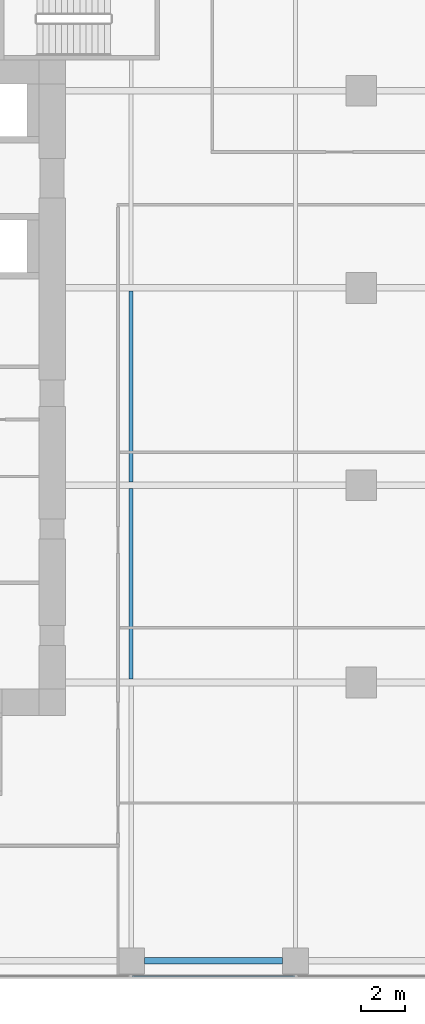
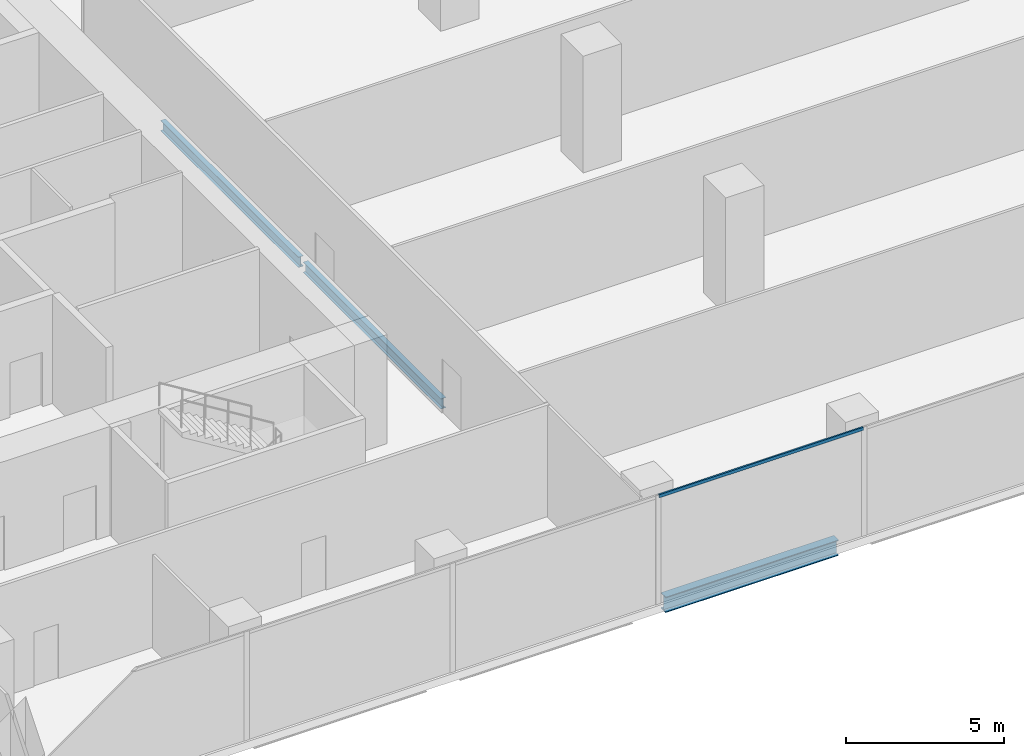
# One storey, part 6 of 33: 3 beams, 1 member, 1 element without a shape of its own.
"""IFC4 building model written with IfcOpenShell, lengths in metres."""

from ifc_helpers import new_model, si_unit, direction, frame, origin, origin_2d, place, context, subcontext, project, spatial, hollow_rectangle, i_section, extrude, source, transform, mapped, material, material_profile, profile_set, type_object, element, aggregate, save


model = new_model("IFC4")

# Units and contexts
model_context = context("Model", 3, precision=1e-05, world=origin(), true_north=direction((0.0, 1.0)))
body_context = subcontext(model_context, "Body", "Model", "MODEL_VIEW")
ifc_project = project(units=[si_unit("LENGTHUNIT", "METRE"), si_unit("AREAUNIT", "SQUARE_METRE"), si_unit("VOLUMEUNIT", "CUBIC_METRE"), si_unit("PLANEANGLEUNIT", "RADIAN"), si_unit("MASSUNIT", "GRAM", prefix="KILO")], contexts=[model_context])

# Site, building, storey
site_placement = place(None, origin())
site = spatial("IfcSite", under=ifc_project, at=site_placement, CompositionType="ELEMENT")
building_placement = place(site_placement, origin())
building = spatial("IfcBuilding", under=site, at=building_placement, Name="Khomas Fold Tower", CompositionType="ELEMENT")
storey_placement = place(building_placement, frame((0.0, 0.0, 91.5)))
storey = spatial("IfcBuildingStorey", under=building, at=storey_placement, Name="L19", CompositionType="ELEMENT", Elevation=91.5)

# Beams
ifc_material_1 = material(Name="Steel S355", Category="steel")
ifc_material_profile_1 = material_profile(ifc_material_1, i_section(OverallWidth=0.179931640625, OverallDepth=0.39990234375, WebThickness=0.008544921875, FlangeThickness=0.013427734375, at=origin_2d()), Name="IPE 400")
ifc_profile_set_1 = profile_set([ifc_material_profile_1], Name="Steel S355")
beam_type_1 = type_object("IfcBeamType", Name="IPE 400 beam JB3", PredefinedType="BEAM", material=ifc_profile_set_1)
shared_shape_1 = source(origin(), body_context, "Body", "SweptSolid", [
    extrude(i_section(OverallWidth=0.179931640625, OverallDepth=0.39990234375, WebThickness=0.008544921875, FlangeThickness=0.013427734375, at=origin_2d()), origin(), (0.0, 0.0, 1.0), 8.7001953125),
])
for number, where, z_axis, x_axis, name in (
    (1, (27.0, 13.64990234375, -0.5), (0.0, 1.0, 0.0), (-1.0, 0.0, 0.0), "JB3"),
    (2, (27.0, 22.64990234375, -0.5), (0.0, 1.0, 0.0), (-1.0, 0.0, 0.0), "JB3"),
):
    element("IfcBeam", number, at=place(storey_placement, frame(where, z_axis=z_axis, x_axis=x_axis)), inside=storey, type_object=beam_type_1, Name=name, PredefinedType="BEAM", context=body_context, shape_type="MappedRepresentation", body=[
        mapped(shared_shape_1, transform((0.0, 0.0, 0.0))),
    ])
ifc_material_2 = material(Name="Steel S355", Category="steel")
ifc_material_profile_2 = material_profile(ifc_material_2, i_section(OverallWidth=0.300048828125, OverallDepth=0.60009765625, WebThickness=0.015380859375, FlangeThickness=0.030029296875, at=origin_2d()), Name="HE 600 B")
ifc_profile_set_2 = profile_set([ifc_material_profile_2], Name="Steel S355")
beam_type_2 = type_object("IfcBeamType", Name="HE 600 B spandrel SB1", PredefinedType="SPANDREL", material=ifc_profile_set_2)
shared_shape_2 = source(origin(), body_context, "Body", "SweptSolid", [
    extrude(i_section(OverallWidth=0.300048828125, OverallDepth=0.60009765625, WebThickness=0.015380859375, FlangeThickness=0.030029296875, at=origin_2d()), origin(), (0.0, 0.0, 1.0), 6.2998046875),
])
beam_placement = place(storey_placement, frame((27.60009765625, 0.800048828125, -0.60009765625), z_axis=(1.0, 0.0, 0.0), x_axis=(0.0, 1.0, 0.0)))
element("IfcBeam", 3, at=beam_placement, inside=storey, type_object=beam_type_2, Name="SB1", PredefinedType="SPANDREL", context=body_context, shape_type="MappedRepresentation", body=[
    mapped(shared_shape_2, transform((0.0, 0.0, 0.0))),
])

# Curtain wall, member
ifc_material_3 = material(Name="Aluminium framed double glazing", Category="aluminium")
curtain_wall_type = type_object("IfcCurtainWallType", Name="SK-Unitised clear-glass wall, growing floors CW1", PredefinedType="NOTDEFINED", material=ifc_material_3)
curtain_wall_placement = place(storey_placement, origin())
curtain_wall = element("IfcCurtainWall", 4, at=curtain_wall_placement, inside=storey, type_object=curtain_wall_type, Name="CW1 run L19 00-0", PredefinedType="NOTDEFINED")
ifc_material_4 = material(Name="Aluminium", Category="aluminium")
ifc_material_profile_3 = material_profile(ifc_material_4, hollow_rectangle(XDim=0.06005859375, YDim=0.1201171875, WallThickness=0.00390625, at=origin_2d()), Name="SK-Unitised clear-glass wall, growing floors transom CW1-T")
ifc_profile_set_3 = profile_set([ifc_material_profile_3], Name="Aluminium")
member_type = type_object("IfcMemberType", Name="SK-Unitised clear-glass wall, growing floors transom CW1-T", PredefinedType="USERDEFINED", material=ifc_profile_set_3)
shared_shape_3 = source(origin(), body_context, "Body", "SweptSolid", [
    extrude(hollow_rectangle(XDim=0.06005859375, YDim=0.1201171875, WallThickness=0.00390625, at=origin_2d()), origin(), (0.0, 0.0, 1.0), 7.43994140625),
])
member_placement = place(storey_placement, frame((27.030029296875, 0.10009765625, 4.139892578125), z_axis=(1.0, 0.0, 0.0), x_axis=(0.0, 1.0, 0.0)))
member = element("IfcMember", 5, at=member_placement, type_object=member_type, Name="CW1 transom 5", ObjectType="TRANSOM", PredefinedType="USERDEFINED", context=body_context, shape_type="MappedRepresentation", body=[
    mapped(shared_shape_3, transform((0.0, 0.0, 0.0))),
])
aggregate(curtain_wall, [member])

save(model, "model.ifc")
